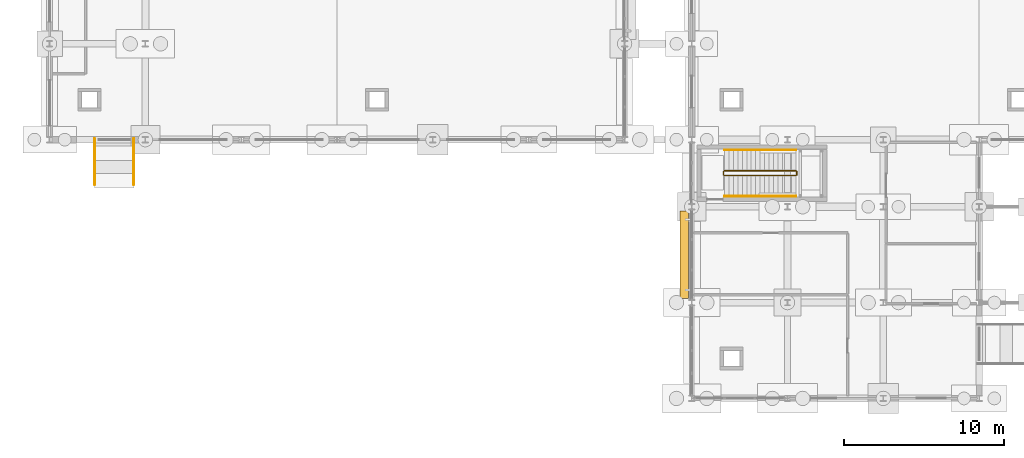
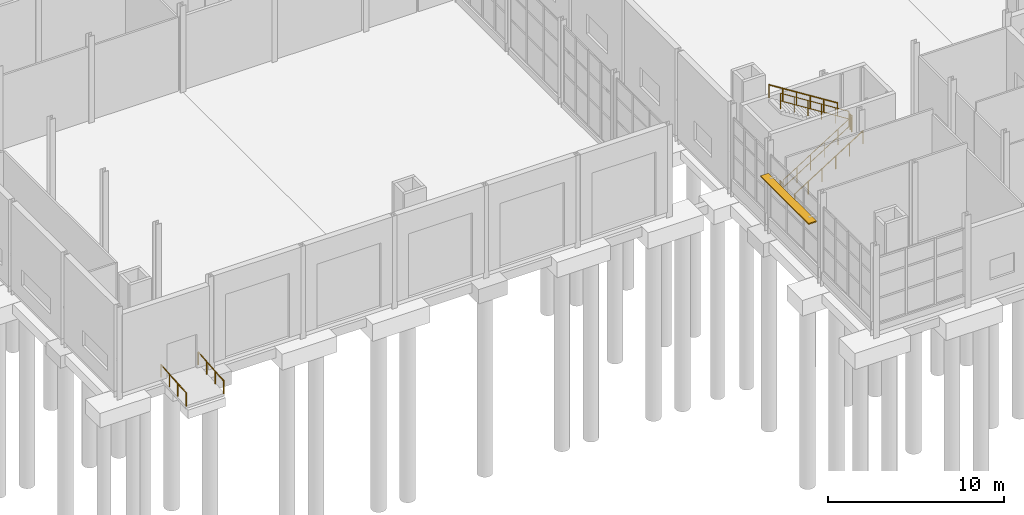
# One storey, part 110 of 120: 8 railings, 1 shading device.
"""IFC4 building model written with IfcOpenShell, lengths in metres."""

from ifc_helpers import new_model, si_unit, direction, frame, origin, origin_2d, place, context, subcontext, project, spatial, rectangle, circle, extrude, material, layer, layer_set, type_object, element, save


model = new_model("IFC4")

# Units and contexts
model_context = context("Model", 3, precision=1e-05, world=origin(), true_north=direction((0.0, 1.0)))
body_context = subcontext(model_context, "Body", "Model", "MODEL_VIEW")
ifc_project = project(units=[si_unit("LENGTHUNIT", "METRE"), si_unit("AREAUNIT", "SQUARE_METRE"), si_unit("VOLUMEUNIT", "CUBIC_METRE"), si_unit("PLANEANGLEUNIT", "RADIAN"), si_unit("MASSUNIT", "GRAM", prefix="KILO")], contexts=[model_context])

# Site, building, storey
site_placement = place(None, origin())
site = spatial("IfcSite", under=ifc_project, at=site_placement, CompositionType="ELEMENT")
building_placement = place(site_placement, origin())
building = spatial("IfcBuilding", under=site, at=building_placement, Name="Siltcreek Boulevard Central Fire Station", CompositionType="ELEMENT")
storey_placement = place(building_placement, origin())
storey = spatial("IfcBuildingStorey", under=building, at=storey_placement, Name="L01", CompositionType="ELEMENT", Elevation=0.0)

# Railings
ifc_material_1 = material(Name="Painted galvanized steel stair guard", Category="steel")
railing_type_1 = type_object("IfcRailingType", Name="RL_ST_GUARD", PredefinedType="BALUSTRADE", material=ifc_material_1)
railing_1_placement = place(storey_placement, frame((44.050048828125, 15.75, 0.176513671875)))
element("IfcRailing", 1, at=railing_1_placement, inside=storey, type_object=railing_type_1, Name="L01 ST-V1P stair guard 1", PredefinedType="BALUSTRADE", context=body_context, shape_type="SweptSolid", body=[
    extrude(circle(Radius=0.02392578125, at=origin_2d()), frame((0.0, 0.0, 1.076171875), z_axis=(0.845997938375, 0.0, 0.533186166611), x_axis=(0.0, 1.0, 0.0)), (0.0, 0.0, 1.0), 5.29541015625),
    extrude(circle(Radius=0.02392578125, at=origin_2d()), frame((0.0, 0.0, 0.550048828125), z_axis=(0.845997938375, 0.0, 0.533186166611), x_axis=(0.0, 1.0, 0.0)), (0.0, 0.0, 1.0), 5.29541015625),
    extrude(circle(Radius=0.02099609375, at=origin_2d()), origin(), (0.0, 0.0, 1.0), 1.052001953125),
    extrude(circle(Radius=0.02099609375, at=origin_2d()), frame((0.89599609375, 0.0, 0.564697265625)), (0.0, 0.0, 1.0), 1.052001953125),
    extrude(circle(Radius=0.02099609375, at=origin_2d()), frame((1.7919921875, 0.0, 1.12939453125)), (0.0, 0.0, 1.0), 1.052001953125),
    extrude(circle(Radius=0.02099609375, at=origin_2d()), frame((2.68798828125, 0.0, 1.694091796875)), (0.0, 0.0, 1.0), 1.052001953125),
    extrude(circle(Radius=0.02099609375, at=origin_2d()), frame((3.583984375, 0.0, 2.2587890625)), (0.0, 0.0, 1.0), 1.052001953125),
    extrude(circle(Radius=0.02099609375, at=origin_2d()), frame((4.47998046875, 0.0, 2.823486328125)), (0.0, 0.0, 1.0), 1.052001953125),
])
railing_2_placement = place(storey_placement, frame((48.580078125, 15.800048828125, 3.0)))
element("IfcRailing", 2, at=railing_2_placement, inside=storey, type_object=railing_type_1, Name="L01 ST-V1P stair guard 2", PredefinedType="BALUSTRADE", context=body_context, shape_type="SweptSolid", body=[
    extrude(circle(Radius=0.02392578125, at=origin_2d()), frame((0.0, 0.0, 1.076171875), z_axis=(0.0, 1.0, 0.0), x_axis=(-1.0, 0.0, 0.0)), (0.0, 0.0, 1.0), 0.199951171875),
    extrude(circle(Radius=0.02392578125, at=origin_2d()), frame((0.0, 0.0, 0.550048828125), z_axis=(0.0, 1.0, 0.0), x_axis=(-1.0, 0.0, 0.0)), (0.0, 0.0, 1.0), 0.199951171875),
    extrude(circle(Radius=0.02099609375, at=origin_2d()), origin(), (0.0, 0.0, 1.0), 1.052001953125),
    extrude(circle(Radius=0.02099609375, at=origin_2d()), frame((0.0, 0.199951171875, 0.0)), (0.0, 0.0, 1.0), 1.052001953125),
])
railing_3_placement = place(storey_placement, frame((48.530029296875, 16.050048828125, 3.176513671875)))
element("IfcRailing", 3, at=railing_3_placement, inside=storey, type_object=railing_type_1, Name="L01 ST-V1P stair guard 3", PredefinedType="BALUSTRADE", context=body_context, shape_type="SweptSolid", body=[
    extrude(circle(Radius=0.02392578125, at=origin_2d()), frame((0.0, 0.0, 1.076171875), z_axis=(-0.845997938375, 0.0, 0.533186166611), x_axis=(0.0, -1.0, 0.0)), (0.0, 0.0, 1.0), 5.29541015625),
    extrude(circle(Radius=0.02392578125, at=origin_2d()), frame((0.0, 0.0, 0.550048828125), z_axis=(-0.845997938375, 0.0, 0.533186166611), x_axis=(0.0, -1.0, 0.0)), (0.0, 0.0, 1.0), 5.29541015625),
    extrude(circle(Radius=0.02099609375, at=origin_2d()), origin(), (0.0, 0.0, 1.0), 1.052001953125),
    extrude(circle(Radius=0.02099609375, at=origin_2d()), frame((-0.89599609375, 0.0, 0.564697265625)), (0.0, 0.0, 1.0), 1.052001953125),
    extrude(circle(Radius=0.02099609375, at=origin_2d()), frame((-1.7919921875, 0.0, 1.12939453125)), (0.0, 0.0, 1.0), 1.052001953125),
    extrude(circle(Radius=0.02099609375, at=origin_2d()), frame((-2.68798828125, 0.0, 1.694091796875)), (0.0, 0.0, 1.0), 1.052001953125),
    extrude(circle(Radius=0.02099609375, at=origin_2d()), frame((-3.583984375, 0.0, 2.2587890625)), (0.0, 0.0, 1.0), 1.052001953125),
    extrude(circle(Radius=0.02099609375, at=origin_2d()), frame((-4.47998046875, 0.0, 2.823486328125)), (0.0, 0.0, 1.0), 1.052001953125),
])
railing_4_placement = place(storey_placement, frame((44.0, 15.800048828125, 0.0)))
element("IfcRailing", 4, at=railing_4_placement, inside=storey, type_object=railing_type_1, Name="L01 ST-V1P stair guard 4", PredefinedType="BALUSTRADE", context=body_context, shape_type="SweptSolid", body=[
    extrude(circle(Radius=0.02392578125, at=origin_2d()), frame((0.0, 0.0, 1.076171875), z_axis=(0.0, 1.0, 0.0), x_axis=(-1.0, 0.0, 0.0)), (0.0, 0.0, 1.0), 0.199951171875),
    extrude(circle(Radius=0.02392578125, at=origin_2d()), frame((0.0, 0.0, 0.550048828125), z_axis=(0.0, 1.0, 0.0), x_axis=(-1.0, 0.0, 0.0)), (0.0, 0.0, 1.0), 0.199951171875),
    extrude(circle(Radius=0.02099609375, at=origin_2d()), origin(), (0.0, 0.0, 1.0), 1.052001953125),
    extrude(circle(Radius=0.02099609375, at=origin_2d()), frame((0.0, 0.199951171875, 0.0)), (0.0, 0.0, 1.0), 1.052001953125),
])
ifc_material_2 = material(Name="Brushed stainless steel stair handrail", Category="steel")
railing_type_2 = type_object("IfcRailingType", Name="RL_ST_HAND", PredefinedType="HANDRAIL", material=ifc_material_2)
railing_5_placement = place(storey_placement, frame((44.050048828125, 14.449951171875, 0.176513671875)))
element("IfcRailing", 5, at=railing_5_placement, inside=storey, type_object=railing_type_2, Name="L01 ST-V1P stair handrail 1", PredefinedType="HANDRAIL", context=body_context, shape_type="SweptSolid", body=[
    extrude(circle(Radius=0.02392578125, at=origin_2d()), frame((0.0, 0.0, 0.8759765625), z_axis=(0.845997938375, 0.0, 0.533186166611), x_axis=(0.0, 1.0, 0.0)), (0.0, 0.0, 1.0), 5.29541015625),
    extrude(circle(Radius=0.02099609375, at=origin_2d()), origin(), (0.0, 0.0, 1.0), 0.851806640625),
    extrude(circle(Radius=0.02099609375, at=origin_2d()), frame((0.89599609375, 0.0, 0.564697265625)), (0.0, 0.0, 1.0), 0.851806640625),
    extrude(circle(Radius=0.02099609375, at=origin_2d()), frame((1.7919921875, 0.0, 1.12939453125)), (0.0, 0.0, 1.0), 0.851806640625),
    extrude(circle(Radius=0.02099609375, at=origin_2d()), frame((2.68798828125, 0.0, 1.694091796875)), (0.0, 0.0, 1.0), 0.851806640625),
    extrude(circle(Radius=0.02099609375, at=origin_2d()), frame((3.583984375, 0.0, 2.2587890625)), (0.0, 0.0, 1.0), 0.851806640625),
    extrude(circle(Radius=0.02099609375, at=origin_2d()), frame((4.47998046875, 0.0, 2.823486328125)), (0.0, 0.0, 1.0), 0.851806640625),
])
railing_6_placement = place(storey_placement, frame((48.530029296875, 17.35009765625, 3.176513671875)))
element("IfcRailing", 6, at=railing_6_placement, inside=storey, type_object=railing_type_2, Name="L01 ST-V1P stair handrail 2", PredefinedType="HANDRAIL", context=body_context, shape_type="SweptSolid", body=[
    extrude(circle(Radius=0.02392578125, at=origin_2d()), frame((0.0, 0.0, 0.8759765625), z_axis=(-0.845997938375, 0.0, 0.533186166611), x_axis=(0.0, -1.0, 0.0)), (0.0, 0.0, 1.0), 5.29541015625),
    extrude(circle(Radius=0.02099609375, at=origin_2d()), origin(), (0.0, 0.0, 1.0), 0.851806640625),
    extrude(circle(Radius=0.02099609375, at=origin_2d()), frame((-0.89599609375, 0.0, 0.564697265625)), (0.0, 0.0, 1.0), 0.851806640625),
    extrude(circle(Radius=0.02099609375, at=origin_2d()), frame((-1.7919921875, 0.0, 1.12939453125)), (0.0, 0.0, 1.0), 0.851806640625),
    extrude(circle(Radius=0.02099609375, at=origin_2d()), frame((-2.68798828125, 0.0, 1.694091796875)), (0.0, 0.0, 1.0), 0.851806640625),
    extrude(circle(Radius=0.02099609375, at=origin_2d()), frame((-3.583984375, 0.0, 2.2587890625)), (0.0, 0.0, 1.0), 0.851806640625),
    extrude(circle(Radius=0.02099609375, at=origin_2d()), frame((-4.47998046875, 0.0, 2.823486328125)), (0.0, 0.0, 1.0), 0.851806640625),
])
for number, where, name in (
    (7, (4.625, 15.179931640625, -0.239990234375), "Accessible ramp RM-05 handrail L"),
    (8, (7.074951171875, 15.179931640625, -0.239990234375), "Accessible ramp RM-05 handrail R"),
):
    element("IfcRailing", number, at=place(storey_placement, frame(where)), inside=storey, type_object=railing_type_2, Name=name, PredefinedType="HANDRAIL", context=body_context, shape_type="SweptSolid", body=[
        extrude(circle(Radius=0.02392578125, at=origin_2d()), frame((0.0, 0.0, 0.8759765625), z_axis=(0.0, 0.996546340804, 0.083038488854), x_axis=(-1.0, 0.0, 0.0)), (0.0, 0.0, 1.0), 2.89013671875),
        extrude(circle(Radius=0.02099609375, at=origin_2d()), origin(), (0.0, 0.0, 1.0), 0.851806640625),
        extrude(circle(Radius=0.02099609375, at=origin_2d()), frame((0.0, 0.9599609375, 0.080078125)), (0.0, 0.0, 1.0), 0.851806640625),
        extrude(circle(Radius=0.02099609375, at=origin_2d()), frame((0.0, 1.920166015625, 0.159912109375)), (0.0, 0.0, 1.0), 0.851806640625),
        extrude(circle(Radius=0.02099609375, at=origin_2d()), frame((0.0, 2.880126953125, 0.239990234375)), (0.0, 0.0, 1.0), 0.851806640625),
    ])

# Shading device
ifc_material_3 = material(Name="Frey sage-green anodized tubular aluminum sunshade", Category="aluminium")
ifc_layer = layer(ifc_material_3, 0.080078125, Name="Frey sage-green anodized tubular aluminum sunshade")
ifc_layer_set = layer_set([ifc_layer], Name="Frey sage-green anodized tubular aluminum sunshade")
shading_device_type = type_object("IfcShadingDeviceType", Name="SHD_BRISE", PredefinedType="USERDEFINED", material=ifc_layer_set)
shading_device_placement = place(storey_placement, frame((41.5400390625, 10.800048828125, 3.781982421875), z_axis=(0.0, 0.0, 1.0), x_axis=(0.0, -1.0, 0.0)))
element("IfcShadingDevice", 9, at=shading_device_placement, inside=storey, type_object=shading_device_type, Name="Anodized tubular aluminum brise-soleil SS-001", ObjectType="SUNSHADE", PredefinedType="USERDEFINED", context=body_context, shape_type="SweptSolid", body=[
    extrude(rectangle(XDim=5.469970703125, YDim=0.52001953125, at=origin_2d()), origin(), (0.0, 0.0, 1.0), 0.080078125),
])

save(model, "model.ifc")
